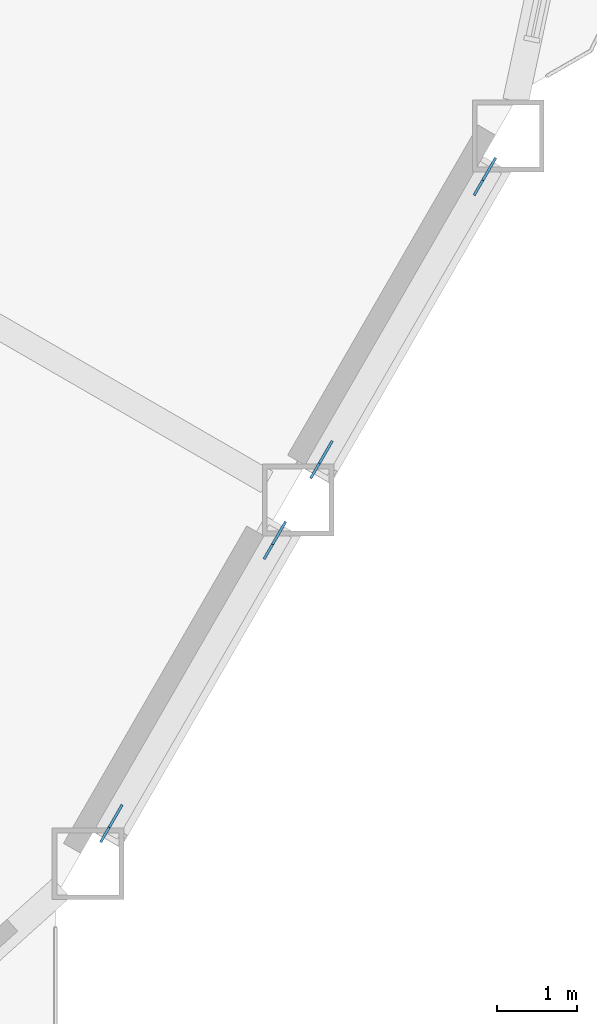
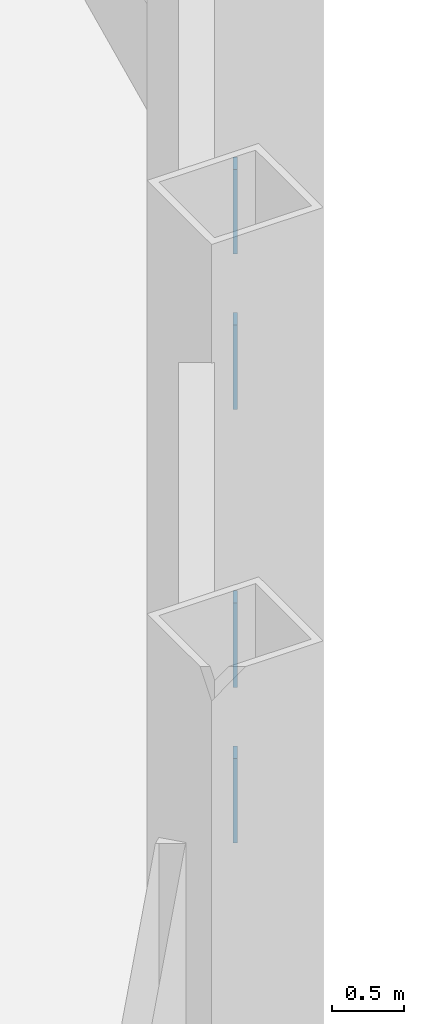
# One storey, part 15 of 21: 4 discrete accessories.
"""IFC4 building model written with IfcOpenShell, lengths in metres."""

from ifc_helpers import new_model, si_unit, direction, frame, origin, origin_2d, place, context, subcontext, project, spatial, rectangle, extrude, material, material_profile, profile_set, type_object, element, save


model = new_model("IFC4")

# Units and contexts
model_context = context("Model", 3, precision=1e-05, world=origin(), true_north=direction((0.0, 1.0)))
body_context = subcontext(model_context, "Body", "Model", "MODEL_VIEW")
ifc_project = project(units=[si_unit("LENGTHUNIT", "METRE"), si_unit("AREAUNIT", "SQUARE_METRE"), si_unit("VOLUMEUNIT", "CUBIC_METRE"), si_unit("PLANEANGLEUNIT", "RADIAN"), si_unit("MASSUNIT", "GRAM", prefix="KILO")], contexts=[model_context])

# Site, building, storey
site_placement = place(None, origin())
site = spatial("IfcSite", under=ifc_project, at=site_placement, CompositionType="ELEMENT")
building_placement = place(site_placement, origin())
building = spatial("IfcBuilding", under=site, at=building_placement, Name="Cormorant Prow Tower", CompositionType="ELEMENT")
storey_placement = place(building_placement, frame((0.0, 0.0, 116.39990234375)))
storey = spatial("IfcBuildingStorey", under=building, at=storey_placement, Name="L24", CompositionType="ELEMENT", Elevation=116.39990234375)

# Discrete accessories
ifc_material = material(Name="Structural steel ASTM A500 Gr C", Category="steel")
ifc_material_profile = material_profile(ifc_material, rectangle(XDim=0.031982421875, YDim=0.60791015625, at=origin_2d()), Name="Gusset plate 32x608")
ifc_profile_set = profile_set([ifc_material_profile], Name="Structural steel ASTM A500 Gr C")
discrete_accessory_type = type_object("IfcDiscreteAccessoryType", Name="Gusset plate 32x608", PredefinedType="BRACKET", material=ifc_profile_set)
discrete_accessory_placement = place(storey_placement, frame((27.76025390625, -16.8916015625, 0.882568359375), z_axis=(0.468167615655, 0.810048586848, -0.353044431477), x_axis=(-0.865800459427, 0.500389412813, 0.0)))
element("IfcDiscreteAccessory", 1, at=discrete_accessory_placement, inside=storey, type_object=discrete_accessory_type, Name="Gusset plate GP1 L24.ESE00.g0", PredefinedType="BRACKET", context=body_context, shape_type="SweptSolid", body=[
    extrude(rectangle(XDim=0.031982421875, YDim=0.60791015625, at=origin_2d()), origin(), (0.0, 0.0, 1.0), 0.349853515625),
])
for number, where, z_axis, x_axis, name in (
    (2, (25.8740234375, -20.158935546875, 2.306396484375), (-0.467787927946, -0.810088781331, 0.353455260013), (0.865987003449, -0.500066505434, 0.0), "Gusset plate GP1 L24.ESE00.g1"),
    (3, (30.39501953125, -12.328125, 0.882568359375), (0.467903125124, 0.810288273314, -0.352844979601), (-0.865987003449, 0.500066505434, 0.0), "Gusset plate GP1 L24.ESE01.g0"),
    (4, (28.5087890625, -15.59521484375, 2.306396484375), (-0.467787927946, -0.810088781331, 0.353455260013), (0.865987003449, -0.500066505434, 0.0), "Gusset plate GP1 L24.ESE01.g1"),
):
    element("IfcDiscreteAccessory", number, at=place(storey_placement, frame(where, z_axis=z_axis, x_axis=x_axis)), inside=storey, type_object=discrete_accessory_type, Name=name, PredefinedType="BRACKET", context=body_context, shape_type="SweptSolid", body=[
        extrude(rectangle(XDim=0.031982421875, YDim=0.60791015625, at=origin_2d()), origin(), (0.0, 0.0, 1.0), 0.35009765625),
    ])

save(model, "model.ifc")
